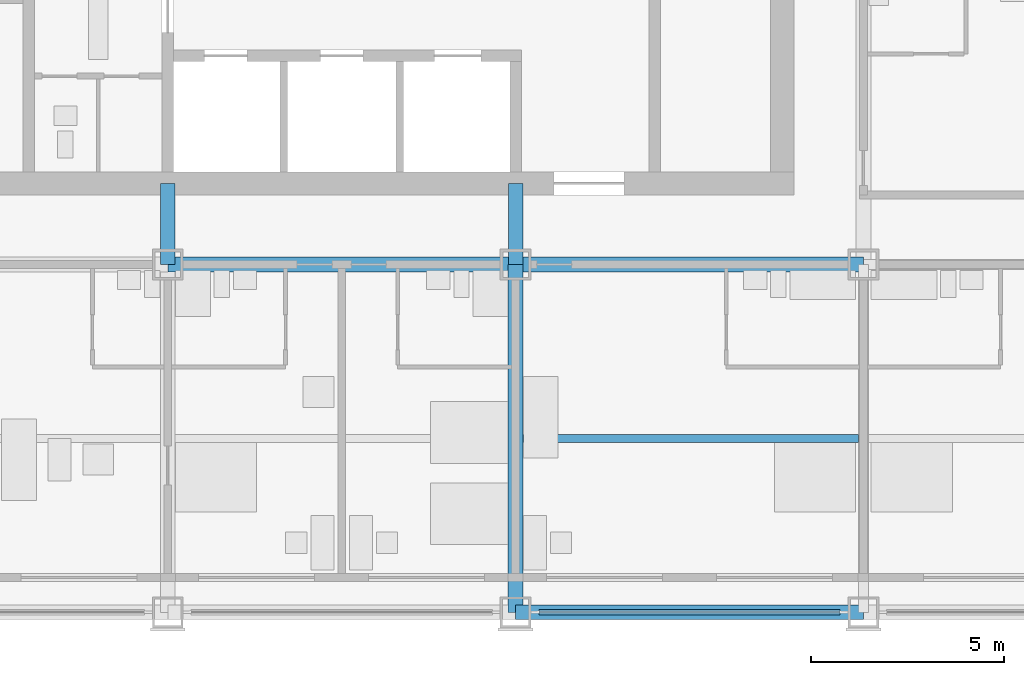
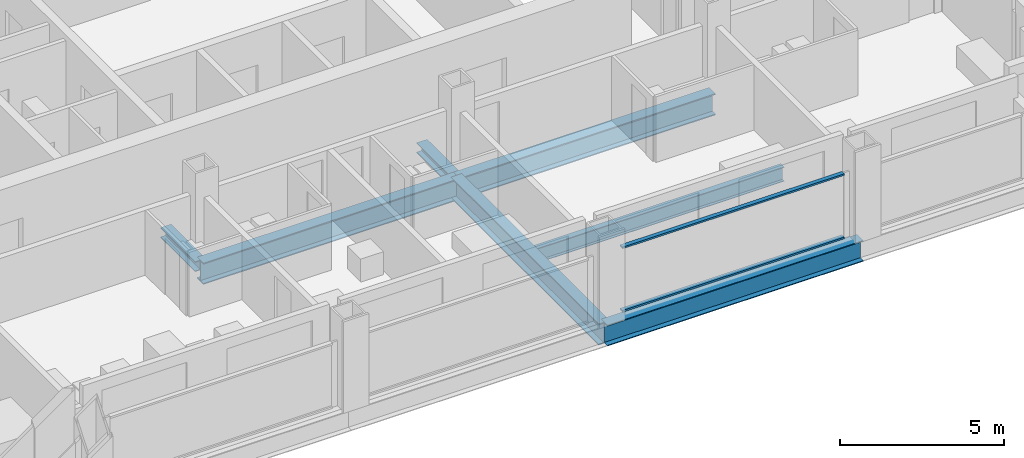
# One storey, part 3 of 16: 5 beams, 4 members, 1 element without a shape of its own.
"""IFC4 building model written with IfcOpenShell, lengths in metres."""

from ifc_helpers import new_model, si_unit, direction, frame, origin, origin_2d, place, context, subcontext, project, spatial, rectangle, i_section, extrude, material, material_profile, profile_set, type_object, element, aggregate, save


model = new_model("IFC4")

# Units and contexts
model_context = context("Model", 3, precision=1e-05, world=origin(), true_north=direction((0.0, 1.0)))
body_context = subcontext(model_context, "Body", "Model", "MODEL_VIEW")
ifc_project = project(units=[si_unit("LENGTHUNIT", "METRE"), si_unit("AREAUNIT", "SQUARE_METRE"), si_unit("VOLUMEUNIT", "CUBIC_METRE"), si_unit("PLANEANGLEUNIT", "RADIAN"), si_unit("MASSUNIT", "GRAM", prefix="KILO")], contexts=[model_context])

# Site, building, storey
site_placement = place(None, origin())
site = spatial("IfcSite", under=ifc_project, at=site_placement, CompositionType="ELEMENT")
building_placement = place(site_placement, origin())
building = spatial("IfcBuilding", under=site, at=building_placement, Name="Loomwork Tower", CompositionType="ELEMENT")
storey_placement = place(building_placement, frame((0.0, 0.0, 135.0)))
storey = spatial("IfcBuildingStorey", under=building, at=storey_placement, Name="L36", CompositionType="ELEMENT", Elevation=135.0)

# Beams
ifc_material_1 = material(Name="Steel ASTM A992", Category="steel")
ifc_material_profile_1 = material_profile(ifc_material_1, i_section(OverallWidth=0.383544921875, OverallDepth=0.794921875, WebThickness=0.02099609375, FlangeThickness=0.0380859375, at=origin_2d()), Name="W30x235")
ifc_profile_set_1 = profile_set([ifc_material_profile_1], Name="Steel ASTM A992")
beam_type_1 = type_object("IfcBeamType", Name="CORE FLANK GIRDER W30x235", PredefinedType="BEAM", material=ifc_profile_set_1)
for number, where, z_axis, x_axis, name in (
    (1, (18.0, 9.0, -0.597412109375), (1.0, 0.0, 0.0), (0.0, 1.0, 0.0), "Core Flank Girder E/4-E/5 L36"),
    (2, (27.0, 9.0, -0.597412109375), (1.0, 0.0, 0.0), (0.0, 1.0, 0.0), "Core Flank Girder E/5-E/6 L36"),
    (3, (27.0, 0.0, -0.597412109375), (0.0, 1.0, 0.0), (-1.0, 0.0, 0.0), "Core Flank Girder D/5-E/5 L36"),
):
    element("IfcBeam", number, at=place(storey_placement, frame(where, z_axis=z_axis, x_axis=x_axis)), inside=storey, type_object=beam_type_1, Name=name, PredefinedType="BEAM", context=body_context, shape_type="SweptSolid", body=[
        extrude(i_section(OverallWidth=0.383544921875, OverallDepth=0.794921875, WebThickness=0.02099609375, FlangeThickness=0.0380859375, at=origin_2d()), origin(), (0.0, 0.0, 1.0), 9.0),
    ])

# Members
ifc_material_2 = material(Name="Steel ASTM A992", Category="steel")
ifc_material_profile_2 = material_profile(ifc_material_2, i_section(OverallWidth=0.373291015625, OverallDepth=0.373291015625, WebThickness=0.016357421875, FlangeThickness=0.026123046875, at=origin_2d()), Name="W14x132")
ifc_profile_set_2 = profile_set([ifc_material_profile_2], Name="Steel ASTM A992")
member_type_1 = type_object("IfcMemberType", Name="CORE LINK STRUT W14x132", PredefinedType="STRUT", material=ifc_profile_set_2)
for number, where, z_axis, x_axis, name in (
    (4, (27.0, 9.0, -0.38671875), (0.0, 1.0, 0.0), (-1.0, 0.0, 0.0), "Core link strut E/5-27.000,11.100 L36"),
    (5, (18.0, 9.0, -0.38671875), (0.0, 1.0, 0.0), (-1.0, 0.0, 0.0), "Core link strut E/4-18.000,11.100 L36"),
):
    element("IfcMember", number, at=place(storey_placement, frame(where, z_axis=z_axis, x_axis=x_axis)), inside=storey, type_object=member_type_1, Name=name, PredefinedType="STRUT", context=body_context, shape_type="SweptSolid", body=[
        extrude(i_section(OverallWidth=0.373291015625, OverallDepth=0.373291015625, WebThickness=0.016357421875, FlangeThickness=0.026123046875, at=origin_2d()), origin(), (0.0, 0.0, 1.0), 2.10009765625),
    ])

# Beam
ifc_material_3 = material(Name="Steel ASTM A992", Category="steel")
ifc_material_profile_3 = material_profile(ifc_material_3, i_section(OverallWidth=0.2109375, OverallDepth=0.53857421875, WebThickness=0.011474609375, FlangeThickness=0.018798828125, at=origin_2d()), Name="W21x73")
ifc_profile_set_3 = profile_set([ifc_material_profile_3], Name="Steel ASTM A992")
beam_type_2 = type_object("IfcBeamType", Name="FLOOR JOIST W21x73", PredefinedType="JOIST", material=ifc_profile_set_3)
beam_1_placement = place(storey_placement, frame((27.19091796875, 4.5, -0.46923828125), z_axis=(1.0, 0.0, 0.0), x_axis=(0.0, 1.0, 0.0)))
element("IfcBeam", 6, at=beam_1_placement, inside=storey, type_object=beam_type_2, Name="Floor Joist 27.000,4.500-36.000,4.500 L36", PredefinedType="JOIST", context=body_context, shape_type="SweptSolid", body=[
    extrude(i_section(OverallWidth=0.2109375, OverallDepth=0.53857421875, WebThickness=0.011474609375, FlangeThickness=0.018798828125, at=origin_2d()), origin(), (0.0, 0.0, 1.0), 8.676025390625),
])

# Curtain wall, members
ifc_material_4 = material(Name="Aluminium curtain wall frame", Category="aluminium")
curtain_wall_type = type_object("IfcCurtainWallType", Name="Outer skin glazing hotel", PredefinedType="NOTDEFINED", material=ifc_material_4)
curtain_wall_placement = place(storey_placement, origin())
curtain_wall = element("IfcCurtainWall", 7, at=curtain_wall_placement, inside=storey, type_object=curtain_wall_type, Name="Outer skin glazing hotel cw/S-27", PredefinedType="NOTDEFINED")
ifc_material_5 = material(Name="Aluminium curtain wall frame", Category="aluminium")
ifc_material_profile_4 = material_profile(ifc_material_5, rectangle(XDim=0.14990234375, YDim=0.06494140625, at=origin_2d()), Name="AL 65x150")
ifc_profile_set_4 = profile_set([ifc_material_profile_4], Name="Aluminium curtain wall frame")
member_type_2 = type_object("IfcMemberType", Name="Outer skin glazing hotel transom", PredefinedType="USERDEFINED", material=ifc_profile_set_4)
member_1_placement = place(storey_placement, frame((27.60009765625, 0.0, 0.032470703125), z_axis=(1.0, 0.0, 0.0), x_axis=(0.0, 1.0, 0.0)))
member_1 = element("IfcMember", 8, at=member_1_placement, type_object=member_type_2, Name="CW1 transom 1.1", ObjectType="TRANSOM", PredefinedType="USERDEFINED", context=body_context, shape_type="SweptSolid", body=[
    extrude(rectangle(XDim=0.14990234375, YDim=0.06494140625, at=origin_2d()), origin(), (0.0, 0.0, 1.0), 7.7998046875),
])
member_2_placement = place(storey_placement, frame((27.60009765625, 0.0, 2.3876953125), z_axis=(1.0, 0.0, 0.0), x_axis=(0.0, 1.0, 0.0)))
member_2 = element("IfcMember", 9, at=member_2_placement, type_object=member_type_2, Name="CW1 transom 1.2", ObjectType="TRANSOM", PredefinedType="USERDEFINED", context=body_context, shape_type="SweptSolid", body=[
    extrude(rectangle(XDim=0.14990234375, YDim=0.06494140625, at=origin_2d()), origin(), (0.0, 0.0, 1.0), 7.7998046875),
])
aggregate(curtain_wall, [member_1, member_2])

# Beam
ifc_material_6 = material(Name="Steel ASTM A992", Category="steel")
ifc_material_profile_5 = material_profile(ifc_material_6, i_section(OverallWidth=0.381103515625, OverallDepth=0.77978515625, WebThickness=0.01806640625, FlangeThickness=0.0302734375, at=origin_2d()), Name="W30x191")
ifc_profile_set_5 = profile_set([ifc_material_profile_5], Name="Steel ASTM A992")
beam_type_3 = type_object("IfcBeamType", Name="SPANDREL GIRDER W30x191", PredefinedType="SPANDREL", material=ifc_profile_set_5)
beam_2_placement = place(storey_placement, frame((27.0, 0.0, -0.58984375), z_axis=(1.0, 0.0, 0.0), x_axis=(0.0, 1.0, 0.0)))
element("IfcBeam", 10, at=beam_2_placement, inside=storey, type_object=beam_type_3, Name="Spandrel Girder D/5-D/6 L36", PredefinedType="SPANDREL", context=body_context, shape_type="SweptSolid", body=[
    extrude(i_section(OverallWidth=0.381103515625, OverallDepth=0.77978515625, WebThickness=0.01806640625, FlangeThickness=0.0302734375, at=origin_2d()), origin(), (0.0, 0.0, 1.0), 9.0),
])

save(model, "model.ifc")
